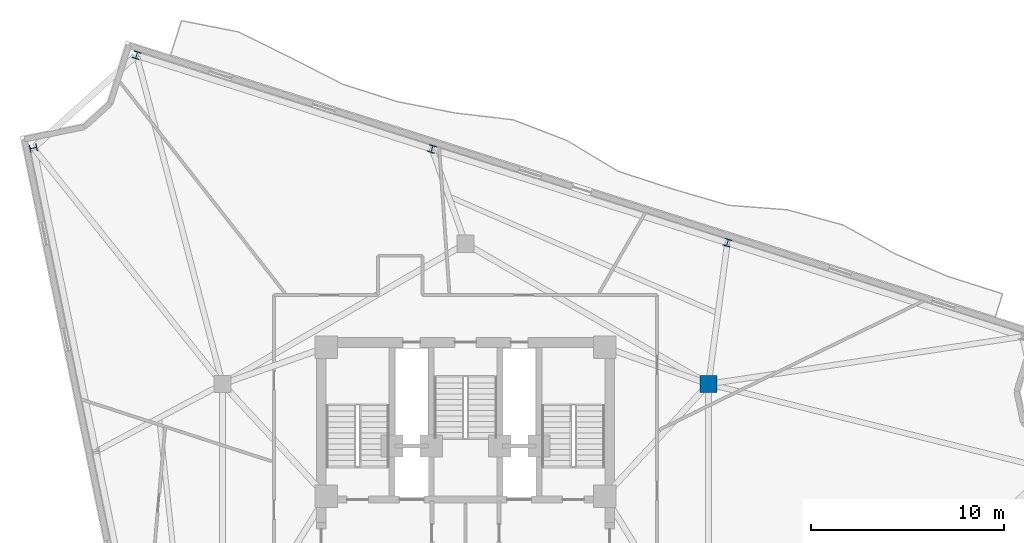
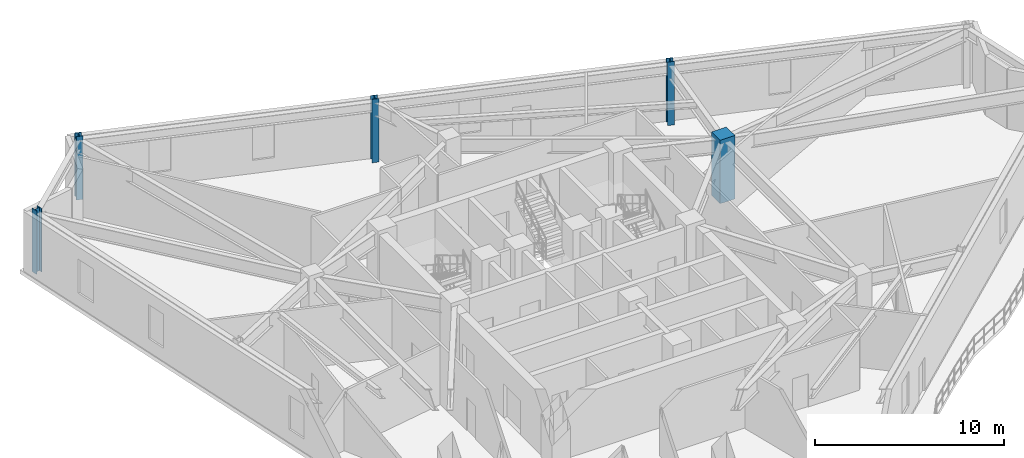
# One storey, part 2 of 11: 5 columns.
"""IFC4 building model written with IfcOpenShell, lengths in metres."""

from ifc_helpers import new_model, si_unit, direction, frame, origin, origin_2d, place, context, subcontext, project, spatial, rectangle, i_section, extrude, material, material_profile, profile_set, type_object, element, save


model = new_model("IFC4")

# Units and contexts
model_context = context("Model", 3, precision=1e-05, world=origin(), true_north=direction((0.0, 1.0)))
body_context = subcontext(model_context, "Body", "Model", "MODEL_VIEW")
ifc_project = project(units=[si_unit("LENGTHUNIT", "METRE"), si_unit("AREAUNIT", "SQUARE_METRE"), si_unit("VOLUMEUNIT", "CUBIC_METRE"), si_unit("PLANEANGLEUNIT", "RADIAN"), si_unit("MASSUNIT", "GRAM", prefix="KILO")], contexts=[model_context])

# Site, building, storey
site_placement = place(None, origin())
site = spatial("IfcSite", under=ifc_project, at=site_placement, CompositionType="ELEMENT")
building_placement = place(site_placement, origin())
building = spatial("IfcBuilding", under=site, at=building_placement, Name="Apsidion Concourse Tower", CompositionType="ELEMENT")
storey_placement = place(building_placement, frame((0.0, 0.0, 236.300048828125)))
storey = spatial("IfcBuildingStorey", under=building, at=storey_placement, Name="L55", CompositionType="ELEMENT", Elevation=236.300048828125)

# Columns
ifc_material_1 = material(Name="Concrete C50/60", Category="concrete")
ifc_material_profile_1 = material_profile(ifc_material_1, rectangle(XDim=0.89990234375, YDim=0.89990234375, at=origin_2d()), Name="RC 900x900")
ifc_profile_set_1 = profile_set([ifc_material_profile_1], Name="Concrete C50/60")
column_type_1 = type_object("IfcColumnType", Name="COL-RC-900", PredefinedType="COLUMN", material=ifc_profile_set_1)
column_placement = place(storey_placement, frame((12.56005859375, 7.25, 0.0), z_axis=(0.0, 0.0, 1.0), x_axis=(1.0, 0.0, 0.0)))
element("IfcColumn", 1, at=column_placement, inside=storey, type_object=column_type_1, Name="L55 Interior Spine Column IC3", PredefinedType="COLUMN", context=body_context, shape_type="SweptSolid", body=[
    extrude(rectangle(XDim=0.89990234375, YDim=0.89990234375, at=origin_2d()), origin(), (0.0, 0.0, 1.0), 4.099853515625),
])
ifc_material_2 = material(Name="Structural steel ASTM A992 Grade 50", Category="steel")
ifc_material_profile_2 = material_profile(ifc_material_2, i_section(OverallWidth=0.373046875, OverallDepth=0.373046875, WebThickness=0.016357421875, FlangeThickness=0.026123046875, at=origin_2d()), Name="W14X132")
ifc_profile_set_2 = profile_set([ifc_material_profile_2], Name="Structural steel ASTM A992 Grade 50")
column_type_2 = type_object("IfcColumnType", Name="COL-W14-132", PredefinedType="COLUMN", material=ifc_profile_set_2)
for number, where, z_axis, x_axis, name in (
    (2, (-22.337158203125, 19.44677734375, 0.0), (0.0, 0.0, 1.0), (-0.201248886216, 0.979540139962, 0.0), "L55 Rotated Perimeter Column PC01"),
    (3, (13.539306640625, 14.552978515625, 0.0), (0.0, 0.0, 1.0), (-0.953137879774, 0.3025362493, 0.0), "L55 Rotated Perimeter Column PC10"),
    (4, (-1.733154296875, 19.400390625, 0.0), (0.0, 0.0, 1.0), (-0.953137879774, 0.3025362493, 0.0), "L55 Rotated Perimeter Column PC11"),
    (5, (-17.00537109375, 24.24755859375, 0.0), (0.0, 0.0, 1.0), (-0.953137879774, 0.3025362493, 0.0), "L55 Rotated Perimeter Column PC12"),
):
    element("IfcColumn", number, at=place(storey_placement, frame(where, z_axis=z_axis, x_axis=x_axis)), inside=storey, type_object=column_type_2, Name=name, PredefinedType="COLUMN", context=body_context, shape_type="SweptSolid", body=[
        extrude(i_section(OverallWidth=0.373046875, OverallDepth=0.373046875, WebThickness=0.016357421875, FlangeThickness=0.026123046875, at=origin_2d()), origin(), (0.0, 0.0, 1.0), 4.099853515625),
    ])

save(model, "model.ifc")
